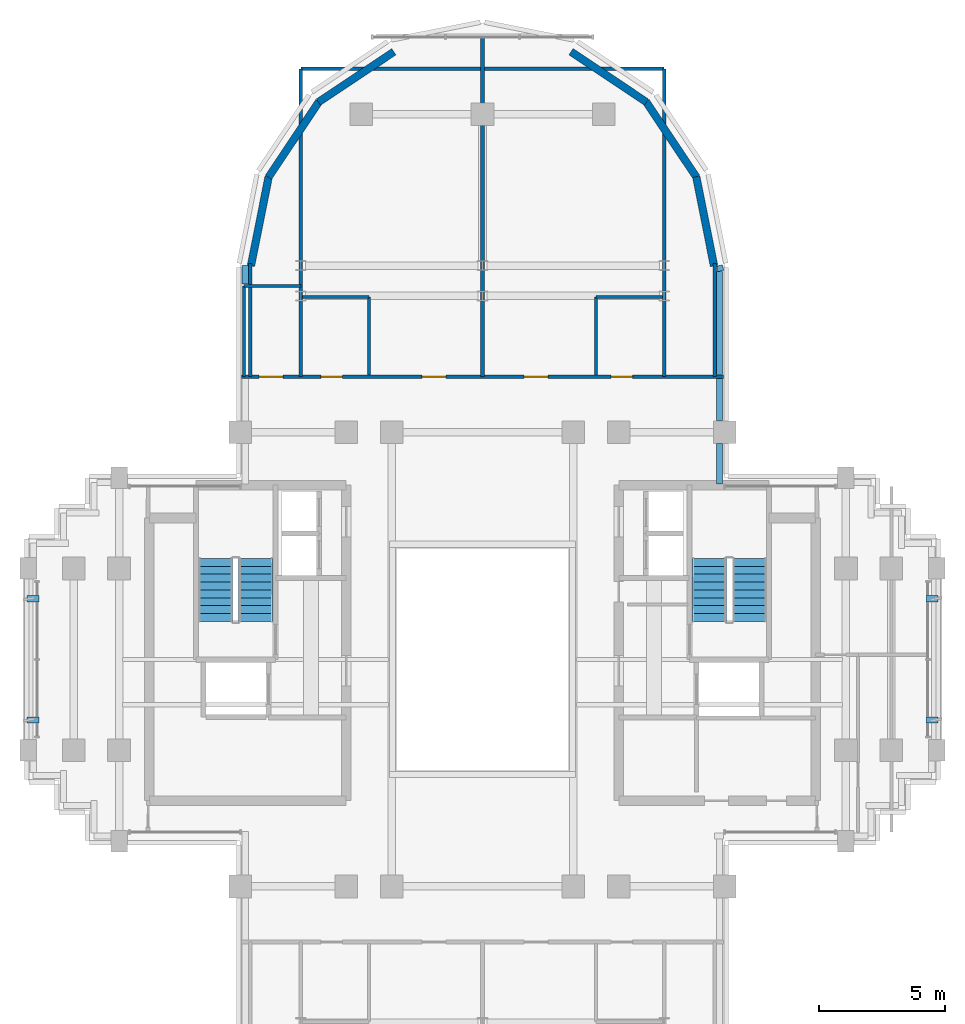
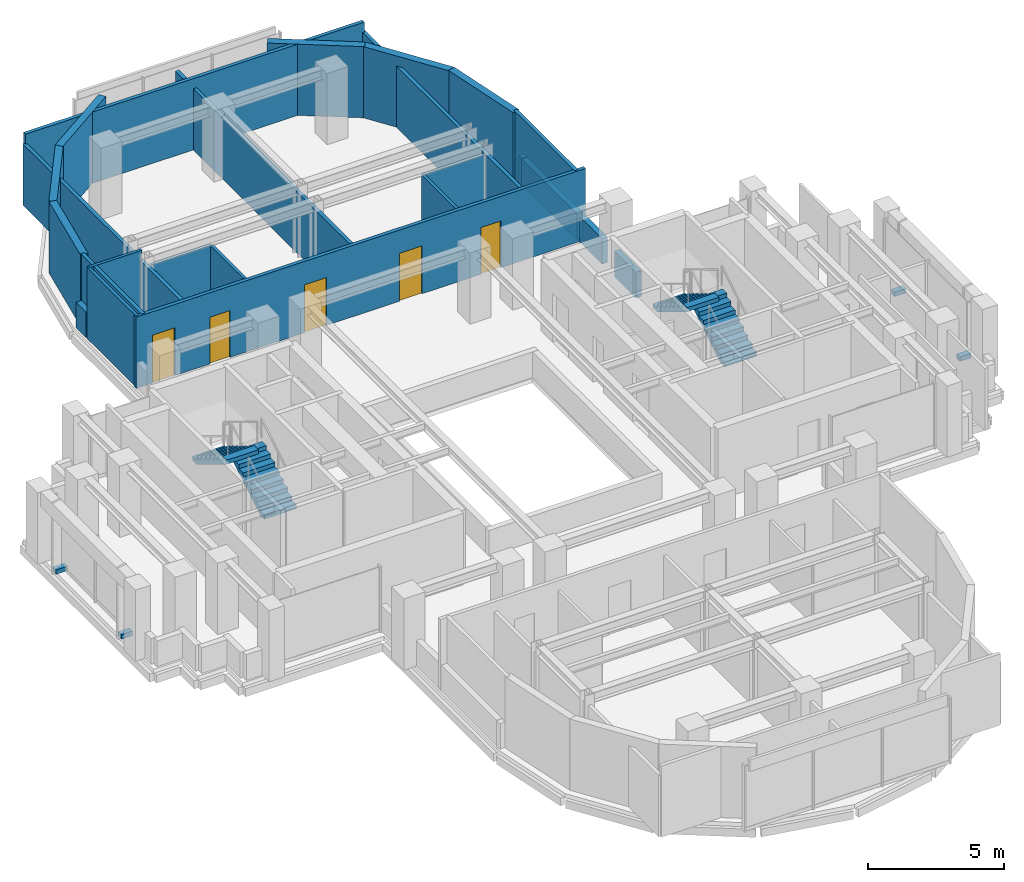
# One storey, part 8 of 11: 24 walls, 5 doors, 4 discrete accessories, 4 stair flights, 5 openings, 2 elements without a shape of their own.
"""IFC4 building model written with IfcOpenShell, lengths in metres."""

from ifc_helpers import new_model, si_unit, direction, frame, frame_2d, origin, origin_2d, place, context, subcontext, project, spatial, polyline, rectangle, outline, extrude, source, transform, mapped, material, layer, layer_set, type_object, element, fill, aggregate, save


model = new_model("IFC4")

# Units and contexts
model_context = context("Model", 3, precision=1e-05, world=origin(), true_north=direction((0.0, 1.0)))
body_context = subcontext(model_context, "Body", "Model", "MODEL_VIEW")
ifc_project = project(units=[si_unit("LENGTHUNIT", "METRE"), si_unit("AREAUNIT", "SQUARE_METRE"), si_unit("VOLUMEUNIT", "CUBIC_METRE"), si_unit("PLANEANGLEUNIT", "RADIAN"), si_unit("MASSUNIT", "GRAM", prefix="KILO")], contexts=[model_context])

# Site, building, storey
site_placement = place(None, origin())
site = spatial("IfcSite", under=ifc_project, at=site_placement, CompositionType="ELEMENT")
building_placement = place(site_placement, origin())
building = spatial("IfcBuilding", under=site, at=building_placement, Name="Keilestroom Media Tower", CompositionType="ELEMENT")
storey_placement = place(building_placement, frame((0.0, 0.0, 197.800048828125)))
storey = spatial("IfcBuildingStorey", under=building, at=storey_placement, Name="L54", CompositionType="ELEMENT", Elevation=197.800048828125)

# Walls
ifc_material_1 = material(Name="Precast concrete C40/50", Category="concrete")
ifc_layer_1 = layer(ifc_material_1, 0.300048828125)
ifc_layer_set_1 = layer_set([ifc_layer_1], Name="Precast concrete C40/50")
wall_type_1 = type_object("IfcWallType", Name="Exterior-Masonry-Spandrel-Wall-300", PredefinedType="SOLIDWALL", material=ifc_layer_set_1)
for number, where, z_axis, x_axis, name in (
    (1, (9.1748046875, 15.585205078125, 0.0), (0.0, 0.0, 1.0), (-0.195114232679, 0.980780523974, 0.0), "L54 Lobe Facet Precast Frame Wall 01"),
    (2, (8.48193359375, 19.097412109375, 0.0), (0.0, 0.0, 1.0), (-0.555574187116, 0.831466970246, 0.0), "L54 Lobe Facet Precast Frame Wall 02"),
):
    element("IfcWall", number, at=place(storey_placement, frame(where, z_axis=z_axis, x_axis=x_axis)), inside=storey, type_object=wall_type_1, Name=name, PredefinedType="SOLIDWALL", context=body_context, shape_type="SweptSolid", body=[
        extrude(rectangle(XDim=3.608642578125, YDim=0.300048828125, at=frame_2d((1.80419921875, 0.0))), origin(), (0.0, 0.0, 1.0), 3.199951171875),
    ])
for number, where, z_axis, x_axis, name in (
    (3, (6.497802734375, 22.0771484375, 0.0), (0.0, 0.0, 1.0), (-0.8314749531, 0.555562239868, 0.0), "L54 Lobe Facet Precast Frame Wall 03"),
    (4, (-3.510009765625, 24.073486328125, 0.0), (0.0, 0.0, 1.0), (-0.8314749531, -0.555562239868, 0.0), "L54 Lobe Facet Precast Frame Wall 04"),
):
    element("IfcWall", number, at=place(storey_placement, frame(where, z_axis=z_axis, x_axis=x_axis)), inside=storey, type_object=wall_type_1, Name=name, PredefinedType="SOLIDWALL", context=body_context, shape_type="SweptSolid", body=[
        extrude(rectangle(XDim=3.59326171875, YDim=0.300048828125, at=frame_2d((1.796630859375, 0.0))), origin(), (0.0, 0.0, 1.0), 3.199951171875),
    ])
for number, where, z_axis, x_axis, name in (
    (5, (-6.47705078125, 22.097900390625, 0.0), (0.0, 0.0, 1.0), (-0.555574187116, -0.831466970246, 0.0), "L54 Lobe Facet Precast Frame Wall 05"),
    (6, (-8.470703125, 19.12451171875, 0.0), (0.0, 0.0, 1.0), (-0.195114232679, -0.980780523974, 0.0), "L54 Lobe Facet Precast Frame Wall 06"),
):
    element("IfcWall", number, at=place(storey_placement, frame(where, z_axis=z_axis, x_axis=x_axis)), inside=storey, type_object=wall_type_1, Name=name, PredefinedType="SOLIDWALL", context=body_context, shape_type="SweptSolid", body=[
        extrude(rectangle(XDim=3.608642578125, YDim=0.300048828125, at=frame_2d((1.80419921875, 0.0))), origin(), (0.0, 0.0, 1.0), 3.199951171875),
    ])
ifc_material_2 = material(Name="Gypsum Plasterboard & Steel Stud", Category="steel")
ifc_layer_2 = layer(ifc_material_2, 0.1201171875)
ifc_layer_set_2 = layer_set([ifc_layer_2], Name="Gypsum Plasterboard & Steel Stud")
wall_type_2 = type_object("IfcWallType", Name="Interior-Partition-Wall-120", PredefinedType="PARTITIONING", material=ifc_layer_set_2)
wall_1_placement = place(storey_placement, frame((-9.449951171875, 14.800048828125, 0.0), z_axis=(0.0, 0.0, 1.0), x_axis=(1.0, 0.0, 0.0)))
element("IfcWall", 7, at=wall_1_placement, inside=storey, type_object=wall_type_2, Name="L54 Interior Wall WP-L54-H307-WC-N", PredefinedType="PARTITIONING", context=body_context, shape_type="SweptSolid", body=[
    extrude(rectangle(XDim=2.25, YDim=0.1201171875, at=frame_2d((1.125, 0.0))), origin(), (0.0, 0.0, 1.0), 3.199951171875),
])
wall_2_placement = place(storey_placement, frame((-9.449951171875, 11.199951171875, 0.0), z_axis=(0.0, 0.0, 1.0), x_axis=(0.0, 1.0, 0.0)))
element("IfcWall", 8, at=wall_2_placement, inside=storey, type_object=wall_type_2, Name="L54 Interior Wall WP-L54-H307-WC-W", PredefinedType="PARTITIONING", context=body_context, shape_type="SweptSolid", body=[
    extrude(rectangle(XDim=3.60009765625, YDim=0.1201171875, at=frame_2d((1.800048828125, 0.0))), origin(), (0.0, 0.0, 1.0), 3.199951171875),
])
wall_3_placement = place(storey_placement, frame((-4.5, 11.260009765625, 0.0), z_axis=(0.0, 0.0, 1.0), x_axis=(0.0, 1.0, 0.0)))
element("IfcWall", 9, at=wall_3_placement, inside=storey, type_object=wall_type_2, Name="L54 Interior Wall WP-L54-ENS307W-NWP", PredefinedType="PARTITIONING", context=body_context, shape_type="SweptSolid", body=[
    extrude(rectangle(XDim=3.10009765625, YDim=0.1201171875, at=frame_2d((1.550048828125, 0.0))), origin(), (0.0, 0.0, 1.0), 2.75),
])
wall_4_placement = place(storey_placement, frame((-7.139892578125, 14.360107421875, 0.0), z_axis=(0.0, 0.0, 1.0), x_axis=(1.0, 0.0, 0.0)))
element("IfcWall", 10, at=wall_4_placement, inside=storey, type_object=wall_type_2, Name="L54 Interior Wall WP-L54-ENS307H-NWP", PredefinedType="PARTITIONING", context=body_context, shape_type="SweptSolid", body=[
    extrude(rectangle(XDim=2.639892578125, YDim=0.1201171875, at=frame_2d((1.31982421875, 0.0))), origin(), (0.0, 0.0, 1.0), 2.75),
])
wall_5_placement = place(storey_placement, frame((4.5, 11.260009765625, 0.0), z_axis=(0.0, 0.0, 1.0), x_axis=(0.0, 1.0, 0.0)))
element("IfcWall", 11, at=wall_5_placement, inside=storey, type_object=wall_type_2, Name="L54 Interior Wall WP-L54-ENS307W-NEP", PredefinedType="PARTITIONING", context=body_context, shape_type="SweptSolid", body=[
    extrude(rectangle(XDim=3.10009765625, YDim=0.1201171875, at=frame_2d((1.550048828125, 0.0))), origin(), (0.0, 0.0, 1.0), 2.75),
])
wall_6_placement = place(storey_placement, frame((4.5, 14.360107421875, 0.0), z_axis=(0.0, 0.0, 1.0), x_axis=(1.0, 0.0, 0.0)))
element("IfcWall", 12, at=wall_6_placement, inside=storey, type_object=wall_type_2, Name="L54 Interior Wall WP-L54-ENS307H-NEP", PredefinedType="PARTITIONING", context=body_context, shape_type="SweptSolid", body=[
    extrude(rectangle(XDim=2.639892578125, YDim=0.1201171875, at=frame_2d((1.31982421875, 0.0))), origin(), (0.0, 0.0, 1.0), 2.75),
])

# Wall, openings, doors
ifc_layer_3 = layer(ifc_material_2, 0.14990234375)
ifc_layer_set_3 = layer_set([ifc_layer_3], Name="Gypsum Plasterboard & Steel Stud")
wall_type_3 = type_object("IfcWallType", Name="Interior-Partition-Wall-150", PredefinedType="PARTITIONING", material=ifc_layer_set_3)
wall_7_placement = place(storey_placement, frame((-9.550048828125, 11.199951171875, 0.0), z_axis=(0.0, 0.0, 1.0), x_axis=(1.0, 0.0, 0.0)))
wall_7 = element("IfcWall", 13, at=wall_7_placement, inside=storey, type_object=wall_type_3, Name="L54 Interior Wall WP-L54-H307-N-BASE", PredefinedType="PARTITIONING", context=body_context, shape_type="SweptSolid", body=[
    extrude(rectangle(XDim=19.10009765625, YDim=0.14990234375, at=frame_2d((9.550048828125, 0.0))), origin(), (0.0, 0.0, 1.0), 3.199951171875),
])
opening_1_placement = place(wall_7_placement, frame((0.699951171875, 0.0, 0.0)))
opening_1 = element("IfcOpeningElement", 14, at=opening_1_placement, cuts=wall_7, Name="Opening DI-03", PredefinedType="OPENING", context=body_context, shape_type="SweptSolid", body=[
    extrude(rectangle(XDim=0.949951171875, YDim=2.14990234375, at=frame_2d((0.47509765625, 1.074951171875))), frame((0.0, 0.0849609375, 0.0), z_axis=(0.0, -1.0, 0.0), x_axis=(1.0, 0.0, 0.0)), (0.0, 0.0, 1.0), 0.169921875),
])
opening_2_placement = place(wall_7_placement, frame((3.14990234375, 0.0, 0.0)))
opening_2 = element("IfcOpeningElement", 15, at=opening_2_placement, cuts=wall_7, Name="Opening DI-05", PredefinedType="OPENING", context=body_context, shape_type="SweptSolid", body=[
    extrude(rectangle(XDim=0.85009765625, YDim=2.10009765625, at=frame_2d((0.425048828125, 1.050048828125))), frame((0.0, 0.0849609375, 0.0), z_axis=(0.0, -1.0, 0.0), x_axis=(1.0, 0.0, 0.0)), (0.0, 0.0, 1.0), 0.169921875),
])
opening_3_placement = place(wall_7_placement, frame((7.14990234375, 0.0, 0.0)))
opening_3 = element("IfcOpeningElement", 16, at=opening_3_placement, cuts=wall_7, Name="Opening DI-03", PredefinedType="OPENING", context=body_context, shape_type="SweptSolid", body=[
    extrude(rectangle(XDim=0.949951171875, YDim=2.14990234375, at=frame_2d((0.47509765625, 1.074951171875))), frame((0.0, 0.0849609375, 0.0), z_axis=(0.0, -1.0, 0.0), x_axis=(1.0, 0.0, 0.0)), (0.0, 0.0, 1.0), 0.169921875),
])
opening_4_placement = place(wall_7_placement, frame((14.64990234375, 0.0, 0.0)))
opening_4 = element("IfcOpeningElement", 17, at=opening_4_placement, cuts=wall_7, Name="Opening DI-05", PredefinedType="OPENING", context=body_context, shape_type="SweptSolid", body=[
    extrude(rectangle(XDim=0.85009765625, YDim=2.10009765625, at=frame_2d((0.425048828125, 1.050048828125))), frame((0.0, 0.0849609375, 0.0), z_axis=(0.0, -1.0, 0.0), x_axis=(1.0, 0.0, 0.0)), (0.0, 0.0, 1.0), 0.169921875),
])
opening_5_placement = place(wall_7_placement, frame((11.199951171875, 0.0, 0.0)))
opening_5 = element("IfcOpeningElement", 18, at=opening_5_placement, cuts=wall_7, Name="Opening DI-03", PredefinedType="OPENING", context=body_context, shape_type="SweptSolid", body=[
    extrude(rectangle(XDim=0.949951171875, YDim=2.14990234375, at=frame_2d((0.47509765625, 1.074951171875))), frame((0.0, 0.0849609375, 0.0), z_axis=(0.0, -1.0, 0.0), x_axis=(1.0, 0.0, 0.0)), (0.0, 0.0, 1.0), 0.169921875),
])
ifc_material_3 = material(Name="Lacquered European Oak Leaf", Category="wood")
door_type_1 = type_object("IfcDoorType", Name="Interior-Room-And-Suite-Door-DI-03", OperationType="NOTDEFINED", PredefinedType="DOOR", material=ifc_material_3)
shared_shape_1 = source(origin(), body_context, "Body", "SweptSolid", [
    extrude(rectangle(XDim=0.949951171875, YDim=2.14990234375, at=frame_2d((0.47509765625, 1.074951171875))), frame((0.0, 0.02490234375, 0.0), z_axis=(0.0, -1.0, 0.0), x_axis=(1.0, 0.0, 0.0)), (0.0, 0.0, 1.0), 0.050048828125),
])
door_1_placement = place(opening_1_placement, origin())
door_1 = element("IfcDoor", 19, at=door_1_placement, inside=storey, type_object=door_type_1, Name="L54 Interior Door DI-L54-DH307-WC", OperationType="SINGLE_SWING_LEFT", OverallHeight=2.14990234375, OverallWidth=0.949951171875, PredefinedType="DOOR", context=body_context, shape_type="MappedRepresentation", body=[
    mapped(shared_shape_1, transform((0.0, 0.0, 0.0), x_axis=(1.0, 0.0, 0.0), y_axis=(0.0, 1.0, 0.0), z_axis=(0.0, 0.0, 1.0), scale=1.0)),
])
fill(opening_1, door_1)
door_2_placement = place(opening_3_placement, origin())
door_2 = element("IfcDoor", 20, at=door_2_placement, inside=storey, type_object=door_type_1, Name="L54 Interior Door DI-L54-DHTL307-NWP", OperationType="SINGLE_SWING_LEFT", OverallHeight=2.14990234375, OverallWidth=0.949951171875, PredefinedType="DOOR", context=body_context, shape_type="MappedRepresentation", body=[
    mapped(shared_shape_1, transform((0.0, 0.0, 0.0), x_axis=(1.0, 0.0, 0.0), y_axis=(0.0, 1.0, 0.0), z_axis=(0.0, 0.0, 1.0), scale=1.0)),
])
fill(opening_3, door_2)
door_3_placement = place(opening_5_placement, origin())
door_3 = element("IfcDoor", 21, at=door_3_placement, inside=storey, type_object=door_type_1, Name="L54 Interior Door DI-L54-DHTL307-NEP", OperationType="SINGLE_SWING_LEFT", OverallHeight=2.14990234375, OverallWidth=0.949951171875, PredefinedType="DOOR", context=body_context, shape_type="MappedRepresentation", body=[
    mapped(shared_shape_1, transform((0.0, 0.0, 0.0), x_axis=(1.0, 0.0, 0.0), y_axis=(0.0, 1.0, 0.0), z_axis=(0.0, 0.0, 1.0), scale=1.0)),
])
fill(opening_5, door_3)
ifc_material_4 = material(Name="Moisture-Resistant Oak Leaf", Category="wood")
door_type_2 = type_object("IfcDoorType", Name="Interior-En-Suite-And-Cupboard-Door-DI-05", OperationType="NOTDEFINED", PredefinedType="DOOR", material=ifc_material_4)
shared_shape_2 = source(origin(), body_context, "Body", "SweptSolid", [
    extrude(rectangle(XDim=0.85009765625, YDim=2.10009765625, at=frame_2d((0.425048828125, 1.050048828125))), frame((0.0, 0.02490234375, 0.0), z_axis=(0.0, -1.0, 0.0), x_axis=(1.0, 0.0, 0.0)), (0.0, 0.0, 1.0), 0.050048828125),
])
door_4_placement = place(opening_2_placement, origin())
door_4 = element("IfcDoor", 22, at=door_4_placement, inside=storey, type_object=door_type_2, Name="L54 Interior Door DI-L54-DENS307-NWP", OperationType="SINGLE_SWING_RIGHT", OverallHeight=2.10009765625, OverallWidth=0.85009765625, PredefinedType="DOOR", context=body_context, shape_type="MappedRepresentation", body=[
    mapped(shared_shape_2, transform((0.0, 0.0, 0.0), x_axis=(1.0, 0.0, 0.0), y_axis=(0.0, 1.0, 0.0), z_axis=(0.0, 0.0, 1.0), scale=1.0)),
])
fill(opening_2, door_4)
door_5_placement = place(opening_4_placement, origin())
door_5 = element("IfcDoor", 23, at=door_5_placement, inside=storey, type_object=door_type_2, Name="L54 Interior Door DI-L54-DENS307-NEP", OperationType="SINGLE_SWING_RIGHT", OverallHeight=2.10009765625, OverallWidth=0.85009765625, PredefinedType="DOOR", context=body_context, shape_type="MappedRepresentation", body=[
    mapped(shared_shape_2, transform((0.0, 0.0, 0.0), x_axis=(1.0, 0.0, 0.0), y_axis=(0.0, 1.0, 0.0), z_axis=(0.0, 0.0, 1.0), scale=1.0)),
])
fill(opening_4, door_5)

# Walls
for number, where, z_axis, x_axis, name in (
    (24, (-9.199951171875, 11.199951171875, 0.0), (0.0, 0.0, 1.0), (0.0, 1.0, 0.0), "L54 Interior Wall WP-L54-NL-CHKW"),
    (25, (9.199951171875, 11.199951171875, 0.0), (0.0, 0.0, 1.0), (0.0, 1.0, 0.0), "L54 Interior Wall WP-L54-NL-CHKE"),
):
    element("IfcWall", number, at=place(storey_placement, frame(where, z_axis=z_axis, x_axis=x_axis)), inside=storey, type_object=wall_type_3, Name=name, PredefinedType="PARTITIONING", context=body_context, shape_type="SweptSolid", body=[
        extrude(rectangle(XDim=4.47998046875, YDim=0.14990234375, at=frame_2d((2.239990234375, 0.0))), origin(), (0.0, 0.0, 1.0), 3.199951171875),
    ])
wall_8_placement = place(storey_placement, frame((-7.199951171875, 11.199951171875, 0.0), z_axis=(0.0, 0.0, 1.0), x_axis=(0.0, 1.0, 0.0)))
element("IfcWall", 26, at=wall_8_placement, inside=storey, type_object=wall_type_3, Name="L54 Interior Wall WP-L54-H307-NV--72", PredefinedType="PARTITIONING", context=body_context, shape_type="SweptSolid", body=[
    extrude(rectangle(XDim=12.199951171875, YDim=0.14990234375, at=frame_2d((6.10009765625, 0.0))), origin(), (0.0, 0.0, 1.0), 2.75),
])
wall_9_placement = place(storey_placement, frame((0.0, 11.199951171875, 0.0), z_axis=(0.0, 0.0, 1.0), x_axis=(0.0, 1.0, 0.0)))
element("IfcWall", 27, at=wall_9_placement, inside=storey, type_object=wall_type_3, Name="L54 Interior Wall WP-L54-H307-NV-0", PredefinedType="PARTITIONING", context=body_context, shape_type="SweptSolid", body=[
    extrude(rectangle(XDim=13.449951171875, YDim=0.14990234375, at=frame_2d((6.72509765625, 0.0))), origin(), (0.0, 0.0, 1.0), 2.75),
])
wall_10_placement = place(storey_placement, frame((7.199951171875, 11.199951171875, 0.0), z_axis=(0.0, 0.0, 1.0), x_axis=(0.0, 1.0, 0.0)))
element("IfcWall", 28, at=wall_10_placement, inside=storey, type_object=wall_type_3, Name="L54 Interior Wall WP-L54-H307-NV-72", PredefinedType="PARTITIONING", context=body_context, shape_type="SweptSolid", body=[
    extrude(rectangle(XDim=12.199951171875, YDim=0.14990234375, at=frame_2d((6.10009765625, 0.0))), origin(), (0.0, 0.0, 1.0), 2.75),
])
wall_11_placement = place(storey_placement, frame((-7.199951171875, 23.39990234375, 0.0), z_axis=(0.0, 0.0, 1.0), x_axis=(1.0, 0.0, 0.0)))
element("IfcWall", 29, at=wall_11_placement, inside=storey, type_object=wall_type_3, Name="L54 Interior Wall WP-L54-H307-NTIP", PredefinedType="PARTITIONING", context=body_context, shape_type="SweptSolid", body=[
    extrude(rectangle(XDim=14.39990234375, YDim=0.14990234375, at=frame_2d((7.199951171875, 0.0))), origin(), (0.0, 0.0, 1.0), 3.199951171875),
])
ifc_layer_4 = layer(ifc_material_1, 0.239990234375)
ifc_layer_set_4 = layer_set([ifc_layer_4], Name="Precast concrete C40/50")
wall_type_4 = type_object("IfcWallType", Name="Roof-And-Terrace-Parapet-Wall-240", PredefinedType="PARAPET", material=ifc_layer_set_4)
wall_12_placement = place(storey_placement, frame((-9.39990234375, 14.863037109375, 0.0), z_axis=(0.0, 0.0, 1.0), x_axis=(0.0, 1.0, 0.0)))
element("IfcWall", 30, at=wall_12_placement, inside=storey, type_object=wall_type_4, Name="L54 Perimeter Edge Parapet Wall 29", PredefinedType="PARAPET", context=body_context, shape_type="SweptSolid", body=[
    extrude(rectangle(XDim=0.73974609375, YDim=0.239990234375, at=frame_2d((0.369873046875, 0.0))), origin(), (0.0, 0.0, 1.0), 1.14990234375),
])
wall_13_placement = place(storey_placement, frame((9.395263671875, 15.604248046875, 0.0), z_axis=(0.0, 0.0, 1.0), x_axis=(0.194652052864, -0.980872355771, 0.0)))
element("IfcWall", 31, at=wall_13_placement, inside=storey, type_object=wall_type_4, Name="L54 Perimeter Edge Parapet Wall 30", PredefinedType="PARAPET", context=body_context, shape_type="SweptSolid", body=[
    extrude(rectangle(XDim=0.224609375, YDim=0.239990234375, at=frame_2d((0.1123046875, 0.0))), origin(), (0.0, 0.0, 1.0), 1.14990234375),
])
wall_14_placement = place(storey_placement, frame((9.39990234375, 15.357666015625, 0.0), z_axis=(0.0, 0.0, 1.0), x_axis=(0.0, -1.0, 0.0)))
element("IfcWall", 32, at=wall_14_placement, inside=storey, type_object=wall_type_4, Name="L54 Perimeter Edge Parapet Wall 31", PredefinedType="PARAPET", context=body_context, shape_type="SweptSolid", body=[
    extrude(rectangle(XDim=4.07958984375, YDim=0.239990234375, at=frame_2d((2.039794921875, 0.0))), origin(), (0.0, 0.0, 1.0), 1.14990234375),
])
wall_15_placement = place(storey_placement, frame((9.39990234375, 11.1220703125, 0.0), z_axis=(0.0, 0.0, 1.0), x_axis=(0.0, -1.0, 0.0)))
element("IfcWall", 33, at=wall_15_placement, inside=storey, type_object=wall_type_4, Name="L54 Perimeter Edge Parapet Wall 32", PredefinedType="PARAPET", context=body_context, shape_type="SweptSolid", body=[
    extrude(rectangle(XDim=1.669189453125, YDim=0.239990234375, at=frame_2d((0.83447265625, 0.0))), origin(), (0.0, 0.0, 1.0), 1.14990234375),
])
wall_16_placement = place(storey_placement, frame((9.39990234375, 8.547119140625, 0.0), z_axis=(0.0, 0.0, 1.0), x_axis=(0.0, -1.0, 0.0)))
element("IfcWall", 34, at=wall_16_placement, inside=storey, type_object=wall_type_4, Name="L54 Perimeter Edge Parapet Wall 33", PredefinedType="PARAPET", context=body_context, shape_type="SweptSolid", body=[
    extrude(rectangle(XDim=1.59423828125, YDim=0.239990234375, at=frame_2d((0.797119140625, 0.0))), origin(), (0.0, 0.0, 1.0), 1.14990234375),
])

# Stair, stair flights
ifc_material_5 = material(Name="Concrete C45/55", Category="concrete")
stair_type = type_object("IfcStairType", Name="Enclosed-Dog-Leg-Stair-ST-CORE", PredefinedType="HALF_TURN_STAIR", material=ifc_material_5)
stair_1_placement = place(storey_placement, origin())
stair_1 = element("IfcStair", 35, at=stair_1_placement, inside=storey, type_object=stair_type, Name="L54 West Core Escape Stair ST-1", PredefinedType="HALF_TURN_STAIR")
stair_flight_type = type_object("IfcStairFlightType", Name="Precast-Concrete-Stair-Flight-Core-160", PredefinedType="STRAIGHT", material=ifc_material_1)
stair_flight_1_placement = place(storey_placement, frame((-8.97998046875, 1.5, 0.0), z_axis=(0.0, 0.0, 1.0), x_axis=(0.0, 1.0, 0.0)))
stair_flight_1 = element("IfcStairFlight", 36, at=stair_flight_1_placement, type_object=stair_flight_type, Name="ST-1 flight 1", NumberOfRisers=9, NumberOfTreads=8, PredefinedType="STRAIGHT", RiserHeight=0.188888889, TreadLength=0.312, context=body_context, shape_type="SweptSolid", body=[
    extrude(outline(polyline([(0.0, 0.0), (0.0, 0.18896484375), (0.31201171875, 0.18896484375), (0.31201171875, 0.377685546875), (0.6240234375, 0.377685546875), (0.6240234375, 0.566650390625), (0.93603515625, 0.566650390625), (0.93603515625, 0.755615234375), (1.248046875, 0.755615234375), (1.248046875, 0.9443359375), (1.56005859375, 0.9443359375), (1.56005859375, 1.13330078125), (1.8720703125, 1.13330078125), (1.8720703125, 1.322265625), (2.18408203125, 1.322265625), (2.18408203125, 1.51123046875), (2.49609375, 1.51123046875), (2.49609375, 1.699951171875), (2.49609375, 1.32421875), (0.308837890625, 0.0), (0.0, 0.0)])), frame((0.0, 0.68017578125, 0.0), z_axis=(0.0, -1.0, 0.0), x_axis=(1.0, 0.0, 0.0)), (0.0, 0.0, 1.0), 1.360107421875),
])
stair_flight_2_placement = place(storey_placement, frame((-10.580078125, 3.99609375, 1.699951171875), z_axis=(0.0, 0.0, 1.0), x_axis=(0.0, -1.0, 0.0)))
stair_flight_2 = element("IfcStairFlight", 37, at=stair_flight_2_placement, type_object=stair_flight_type, Name="ST-1 flight 2", NumberOfRisers=9, NumberOfTreads=8, PredefinedType="STRAIGHT", RiserHeight=0.188888889, TreadLength=0.312, context=body_context, shape_type="SweptSolid", body=[
    extrude(outline(polyline([(0.0, 0.0), (0.0, 0.18896484375), (0.31201171875, 0.18896484375), (0.31201171875, 0.377685546875), (0.6240234375, 0.377685546875), (0.6240234375, 0.566650390625), (0.93603515625, 0.566650390625), (0.93603515625, 0.755615234375), (1.248046875, 0.755615234375), (1.248046875, 0.9443359375), (1.56005859375, 0.9443359375), (1.56005859375, 1.13330078125), (1.8720703125, 1.13330078125), (1.8720703125, 1.322265625), (2.18408203125, 1.322265625), (2.18408203125, 1.51123046875), (2.49609375, 1.51123046875), (2.49609375, 1.699951171875), (2.49609375, 1.32421875), (0.308837890625, 0.0), (0.0, 0.0)])), frame((0.0, 0.68017578125, 0.0), z_axis=(0.0, -1.0, 0.0), x_axis=(1.0, 0.0, 0.0)), (0.0, 0.0, 1.0), 1.360107421875),
])
aggregate(stair_1, [stair_flight_1, stair_flight_2])

stair_2_placement = place(storey_placement, origin())
stair_2 = element("IfcStair", 38, at=stair_2_placement, inside=storey, type_object=stair_type, Name="L54 East Core Escape Stair ST-2", PredefinedType="HALF_TURN_STAIR")
stair_flight_3_placement = place(storey_placement, frame((10.580078125, 1.5, 0.0), z_axis=(0.0, 0.0, 1.0), x_axis=(0.0, 1.0, 0.0)))
stair_flight_3 = element("IfcStairFlight", 39, at=stair_flight_3_placement, type_object=stair_flight_type, Name="ST-2 flight 1", NumberOfRisers=9, NumberOfTreads=8, PredefinedType="STRAIGHT", RiserHeight=0.188888889, TreadLength=0.312, context=body_context, shape_type="SweptSolid", body=[
    extrude(outline(polyline([(0.0, 0.0), (0.0, 0.18896484375), (0.31201171875, 0.18896484375), (0.31201171875, 0.377685546875), (0.6240234375, 0.377685546875), (0.6240234375, 0.566650390625), (0.93603515625, 0.566650390625), (0.93603515625, 0.755615234375), (1.248046875, 0.755615234375), (1.248046875, 0.9443359375), (1.56005859375, 0.9443359375), (1.56005859375, 1.13330078125), (1.8720703125, 1.13330078125), (1.8720703125, 1.322265625), (2.18408203125, 1.322265625), (2.18408203125, 1.51123046875), (2.49609375, 1.51123046875), (2.49609375, 1.699951171875), (2.49609375, 1.32421875), (0.308837890625, 0.0), (0.0, 0.0)])), frame((0.0, 0.68017578125, 0.0), z_axis=(0.0, -1.0, 0.0), x_axis=(1.0, 0.0, 0.0)), (0.0, 0.0, 1.0), 1.360107421875),
])
stair_flight_4_placement = place(storey_placement, frame((8.97998046875, 3.99609375, 1.699951171875), z_axis=(0.0, 0.0, 1.0), x_axis=(0.0, -1.0, 0.0)))
stair_flight_4 = element("IfcStairFlight", 40, at=stair_flight_4_placement, type_object=stair_flight_type, Name="ST-2 flight 2", NumberOfRisers=9, NumberOfTreads=8, PredefinedType="STRAIGHT", RiserHeight=0.188888889, TreadLength=0.312, context=body_context, shape_type="SweptSolid", body=[
    extrude(outline(polyline([(0.0, 0.0), (0.0, 0.18896484375), (0.31201171875, 0.18896484375), (0.31201171875, 0.377685546875), (0.6240234375, 0.377685546875), (0.6240234375, 0.566650390625), (0.93603515625, 0.566650390625), (0.93603515625, 0.755615234375), (1.248046875, 0.755615234375), (1.248046875, 0.9443359375), (1.56005859375, 0.9443359375), (1.56005859375, 1.13330078125), (1.8720703125, 1.13330078125), (1.8720703125, 1.322265625), (2.18408203125, 1.322265625), (2.18408203125, 1.51123046875), (2.49609375, 1.51123046875), (2.49609375, 1.699951171875), (2.49609375, 1.32421875), (0.308837890625, 0.0), (0.0, 0.0)])), frame((0.0, 0.68017578125, 0.0), z_axis=(0.0, -1.0, 0.0), x_axis=(1.0, 0.0, 0.0)), (0.0, 0.0, 1.0), 1.360107421875),
])
aggregate(stair_2, [stair_flight_3, stair_flight_4])

# Discrete accessories
ifc_material_6 = material(Name="Stainless Steel 1.4401", Category="steel")
discrete_accessory_type = type_object("IfcDiscreteAccessoryType", Name="Facade-Fin-Fixing-Bracket-BRK-1", PredefinedType="BRACKET", material=ifc_material_6)
shared_shape_3 = source(origin(), body_context, "Body", "SweptSolid", [
    extrude(rectangle(XDim=0.47998046875, YDim=0.239990234375, at=origin_2d()), origin(), (0.0, 0.0, 1.0), 0.199951171875),
])
for number, where, z_axis, x_axis, name in (
    (41, (-17.81005859375, -2.39990234375, -0.01025390625), (0.0, 0.0, 1.0), (1.0, 0.0, 0.0), "L54 Sunshade Fin Bracket BRK-1 077"),
    (42, (-17.81005859375, 2.39990234375, -0.01025390625), (0.0, 0.0, 1.0), (1.0, 0.0, 0.0), "L54 Sunshade Fin Bracket BRK-1 078"),
    (43, (17.81005859375, -2.39990234375, -0.01025390625), (0.0, 0.0, 1.0), (1.0, 0.0, 0.0), "L54 Sunshade Fin Bracket BRK-1 079"),
    (44, (17.81005859375, 2.39990234375, -0.01025390625), (0.0, 0.0, 1.0), (1.0, 0.0, 0.0), "L54 Sunshade Fin Bracket BRK-1 080"),
):
    element("IfcDiscreteAccessory", number, at=place(storey_placement, frame(where, z_axis=z_axis, x_axis=x_axis)), inside=storey, type_object=discrete_accessory_type, Name=name, PredefinedType="BRACKET", context=body_context, shape_type="MappedRepresentation", body=[
        mapped(shared_shape_3, transform((0.0, 0.0, 0.0), x_axis=(1.0, 0.0, 0.0), y_axis=(0.0, 1.0, 0.0), z_axis=(0.0, 0.0, 1.0), scale=1.0)),
    ])

save(model, "model.ifc")
